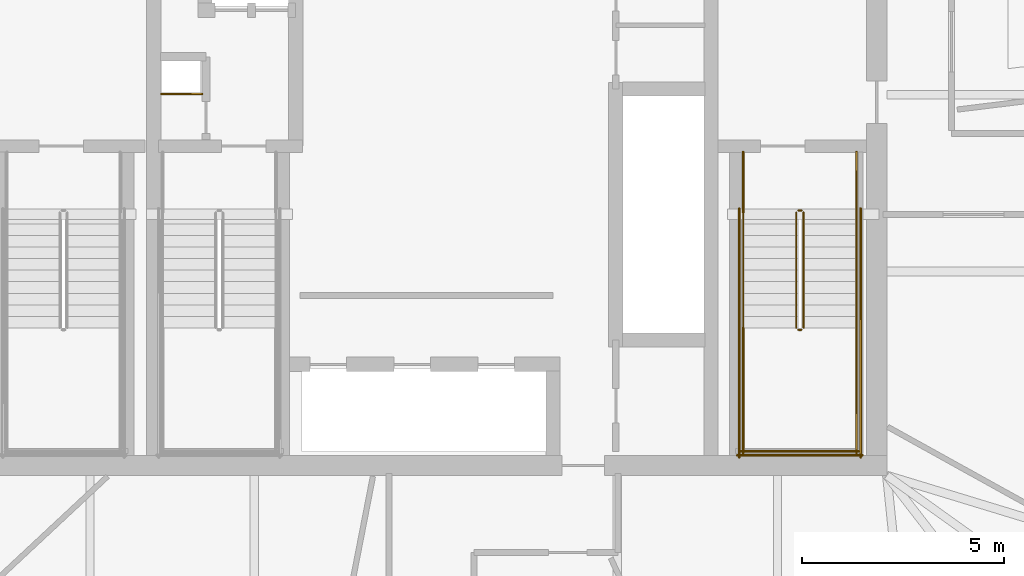
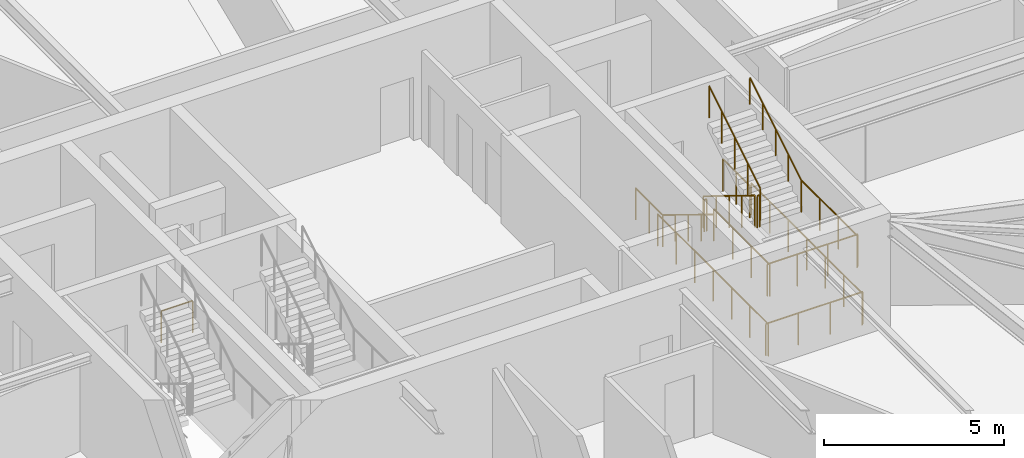
# One storey, part 15 of 16: 15 railings.
"""IFC4 building model written with IfcOpenShell, lengths in metres."""

from ifc_helpers import new_model, si_unit, direction, frame, origin, origin_2d, place, context, subcontext, project, spatial, circle, extrude, material, type_object, element, save


model = new_model("IFC4")

# Units and contexts
model_context = context("Model", 3, precision=1e-05, world=origin(), true_north=direction((0.0, 1.0)))
body_context = subcontext(model_context, "Body", "Model", "MODEL_VIEW")
ifc_project = project(units=[si_unit("LENGTHUNIT", "METRE"), si_unit("AREAUNIT", "SQUARE_METRE"), si_unit("VOLUMEUNIT", "CUBIC_METRE"), si_unit("PLANEANGLEUNIT", "RADIAN"), si_unit("MASSUNIT", "GRAM", prefix="KILO")], contexts=[model_context])

# Site, building, storey
site_placement = place(None, origin())
site = spatial("IfcSite", under=ifc_project, at=site_placement, CompositionType="ELEMENT")
building_placement = place(site_placement, origin())
building = spatial("IfcBuilding", under=site, at=building_placement, Name="Bramvorn Convention Spire", CompositionType="ELEMENT")
storey_placement = place(building_placement, frame((0.0, 0.0, 209.699951171875)))
storey = spatial("IfcBuildingStorey", under=building, at=storey_placement, Name="L53", CompositionType="ELEMENT", Elevation=209.699951171875)

# Railings
ifc_material_1 = material(Name="Painted Steel Balustrade & Guardrail", Category="steel")
railing_type_1 = type_object("IfcRailingType", Name="RL-STAIR-GUARD-1100", PredefinedType="GUARDRAIL", material=ifc_material_1)
railing_1_placement = place(storey_placement, frame((47.010009765625, 25.050048828125, 0.175048828125)))
element("IfcRailing", 1, at=railing_1_placement, inside=storey, type_object=railing_type_1, Name="L53 ST2 stair guard 1", PredefinedType="GUARDRAIL", context=body_context, shape_type="SweptSolid", body=[
    extrude(circle(Radius=0.02392578125, at=origin_2d()), frame((0.0, 0.0, 1.076171875), z_axis=(0.0, -0.852179220489, 0.52325001306), x_axis=(1.0, 0.0, 0.0)), (0.0, 0.0, 1.0), 3.344482421875),
    extrude(circle(Radius=0.02099609375, at=origin_2d()), origin(), (0.0, 0.0, 1.0), 1.052001953125),
    extrude(circle(Radius=0.02099609375, at=origin_2d()), frame((0.0, -0.71240234375, 0.4375)), (0.0, 0.0, 1.0), 1.052001953125),
    extrude(circle(Radius=0.02099609375, at=origin_2d()), frame((0.0, -1.425048828125, 0.875)), (0.0, 0.0, 1.0), 1.052001953125),
    extrude(circle(Radius=0.02099609375, at=origin_2d()), frame((0.0, -2.1376953125, 1.3125)), (0.0, 0.0, 1.0), 1.052001953125),
    extrude(circle(Radius=0.02099609375, at=origin_2d()), frame((0.0, -2.85009765625, 1.75)), (0.0, 0.0, 1.0), 1.052001953125),
])
railing_2_placement = place(storey_placement, frame((47.06005859375, 22.14990234375, 1.925048828125)))
element("IfcRailing", 2, at=railing_2_placement, inside=storey, type_object=railing_type_1, Name="L53 ST2 stair guard 2", PredefinedType="GUARDRAIL", context=body_context, shape_type="SweptSolid", body=[
    extrude(circle(Radius=0.02392578125, at=origin_2d()), frame((0.0, 0.0, 1.076171875), z_axis=(1.0, 0.0, 0.0), x_axis=(0.0, 1.0, 0.0)), (0.0, 0.0, 1.0), 0.079833984375),
    extrude(circle(Radius=0.02099609375, at=origin_2d()), origin(), (0.0, 0.0, 1.0), 1.052001953125),
    extrude(circle(Radius=0.02099609375, at=origin_2d()), frame((0.079833984375, 0.0, 0.0)), (0.0, 0.0, 1.0), 1.052001953125),
])
for number, where, name in (
    (3, (45.699951171875, 22.199951171875, 1.925048828125), "L53 ST2 stair guard 3"),
    (4, (48.5, 22.199951171875, 1.925048828125), "L53 ST2 stair guard 4"),
):
    element("IfcRailing", number, at=place(storey_placement, frame(where)), inside=storey, type_object=railing_type_1, Name=name, PredefinedType="GUARDRAIL", context=body_context, shape_type="SweptSolid", body=[
        extrude(circle(Radius=0.02392578125, at=origin_2d()), frame((0.0, 0.0, 1.076171875), z_axis=(0.0, -1.0, 0.0), x_axis=(1.0, 0.0, 0.0)), (0.0, 0.0, 1.0), 3.099853515625),
        extrude(circle(Radius=0.02099609375, at=origin_2d()), origin(), (0.0, 0.0, 1.0), 1.052001953125),
        extrude(circle(Radius=0.02099609375, at=origin_2d()), frame((0.0, -1.033203125, 0.0)), (0.0, 0.0, 1.0), 1.052001953125),
        extrude(circle(Radius=0.02099609375, at=origin_2d()), frame((0.0, -2.066650390625, 0.0)), (0.0, 0.0, 1.0), 1.052001953125),
        extrude(circle(Radius=0.02099609375, at=origin_2d()), frame((0.0, -3.099853515625, 0.0)), (0.0, 0.0, 1.0), 1.052001953125),
    ])
railing_3_placement = place(storey_placement, frame((45.64990234375, 19.14990234375, 1.925048828125)))
element("IfcRailing", 5, at=railing_3_placement, inside=storey, type_object=railing_type_1, Name="L53 ST2 stair guard 5", PredefinedType="GUARDRAIL", context=body_context, shape_type="SweptSolid", body=[
    extrude(circle(Radius=0.02392578125, at=origin_2d()), frame((0.0, 0.0, 1.076171875), z_axis=(1.0, 0.0, 0.0), x_axis=(0.0, 1.0, 0.0)), (0.0, 0.0, 1.0), 2.900146484375),
    extrude(circle(Radius=0.02099609375, at=origin_2d()), origin(), (0.0, 0.0, 1.0), 1.052001953125),
    extrude(circle(Radius=0.02099609375, at=origin_2d()), frame((0.966796875, 0.0, 0.0)), (0.0, 0.0, 1.0), 1.052001953125),
    extrude(circle(Radius=0.02099609375, at=origin_2d()), frame((1.933349609375, 0.0, 0.0)), (0.0, 0.0, 1.0), 1.052001953125),
    extrude(circle(Radius=0.02099609375, at=origin_2d()), frame((2.900146484375, 0.0, 0.0)), (0.0, 0.0, 1.0), 1.052001953125),
])
railing_4_placement = place(storey_placement, frame((47.18994140625, 22.199951171875, 2.10009765625)))
element("IfcRailing", 6, at=railing_4_placement, inside=storey, type_object=railing_type_1, Name="L53 ST2 stair guard 6", PredefinedType="GUARDRAIL", context=body_context, shape_type="SweptSolid", body=[
    extrude(circle(Radius=0.02392578125, at=origin_2d()), frame((0.0, 0.0, 1.076171875), z_axis=(0.0, 0.852179220489, 0.52325001306), x_axis=(-1.0, 0.0, 0.0)), (0.0, 0.0, 1.0), 3.344482421875),
    extrude(circle(Radius=0.02099609375, at=origin_2d()), origin(), (0.0, 0.0, 1.0), 1.052001953125),
    extrude(circle(Radius=0.02099609375, at=origin_2d()), frame((0.0, 0.71240234375, 0.4375)), (0.0, 0.0, 1.0), 1.052001953125),
    extrude(circle(Radius=0.02099609375, at=origin_2d()), frame((0.0, 1.425048828125, 0.875)), (0.0, 0.0, 1.0), 1.052001953125),
    extrude(circle(Radius=0.02099609375, at=origin_2d()), frame((0.0, 2.1376953125, 1.3125)), (0.0, 0.0, 1.0), 1.052001953125),
    extrude(circle(Radius=0.02099609375, at=origin_2d()), frame((0.0, 2.85009765625, 1.75)), (0.0, 0.0, 1.0), 1.052001953125),
])
railing_5_placement = place(storey_placement, frame((47.06005859375, 25.10009765625, 0.0)))
element("IfcRailing", 7, at=railing_5_placement, inside=storey, type_object=railing_type_1, Name="L53 ST2 stair guard 7", PredefinedType="GUARDRAIL", context=body_context, shape_type="SweptSolid", body=[
    extrude(circle(Radius=0.02392578125, at=origin_2d()), frame((0.0, 0.0, 1.076171875), z_axis=(1.0, 0.0, 0.0), x_axis=(0.0, 1.0, 0.0)), (0.0, 0.0, 1.0), 0.079833984375),
    extrude(circle(Radius=0.02099609375, at=origin_2d()), origin(), (0.0, 0.0, 1.0), 1.052001953125),
    extrude(circle(Radius=0.02099609375, at=origin_2d()), frame((0.079833984375, 0.0, 0.0)), (0.0, 0.0, 1.0), 1.052001953125),
])
for number, where, name in (
    (8, (45.699951171875, 26.550048828125, 0.0), "L53 ST2 stair guard 8"),
    (9, (48.5, 26.550048828125, 0.0), "L53 ST2 stair guard 9"),
):
    element("IfcRailing", number, at=place(storey_placement, frame(where)), inside=storey, type_object=railing_type_1, Name=name, PredefinedType="GUARDRAIL", context=body_context, shape_type="SweptSolid", body=[
        extrude(circle(Radius=0.02392578125, at=origin_2d()), frame((0.0, 0.0, 1.076171875), z_axis=(0.0, -1.0, 0.0), x_axis=(1.0, 0.0, 0.0)), (0.0, 0.0, 1.0), 1.5),
        extrude(circle(Radius=0.02099609375, at=origin_2d()), origin(), (0.0, 0.0, 1.0), 1.052001953125),
        extrude(circle(Radius=0.02099609375, at=origin_2d()), frame((0.0, -0.75, 0.0)), (0.0, 0.0, 1.0), 1.052001953125),
        extrude(circle(Radius=0.02099609375, at=origin_2d()), frame((0.0, -1.5, 0.0)), (0.0, 0.0, 1.0), 1.052001953125),
    ])
for number, where, name in (
    (10, (45.60009765625, 25.14990234375, 0.0), "L53 ST2 stair guard 10"),
    (11, (48.60009765625, 25.14990234375, 0.0), "L53 ST2 stair guard 11"),
):
    element("IfcRailing", number, at=place(storey_placement, frame(where)), inside=storey, type_object=railing_type_1, Name=name, PredefinedType="GUARDRAIL", context=body_context, shape_type="SweptSolid", body=[
        extrude(circle(Radius=0.02392578125, at=origin_2d()), frame((0.0, 0.0, 1.076171875), z_axis=(0.0, -1.0, 0.0), x_axis=(1.0, 0.0, 0.0)), (0.0, 0.0, 1.0), 6.14990234375),
        extrude(circle(Radius=0.02099609375, at=origin_2d()), origin(), (0.0, 0.0, 1.0), 1.052001953125),
        extrude(circle(Radius=0.02099609375, at=origin_2d()), frame((0.0, -1.02490234375, 0.0)), (0.0, 0.0, 1.0), 1.052001953125),
        extrude(circle(Radius=0.02099609375, at=origin_2d()), frame((0.0, -2.050048828125, 0.0)), (0.0, 0.0, 1.0), 1.052001953125),
        extrude(circle(Radius=0.02099609375, at=origin_2d()), frame((0.0, -3.074951171875, 0.0)), (0.0, 0.0, 1.0), 1.052001953125),
        extrude(circle(Radius=0.02099609375, at=origin_2d()), frame((0.0, -4.099853515625, 0.0)), (0.0, 0.0, 1.0), 1.052001953125),
        extrude(circle(Radius=0.02099609375, at=origin_2d()), frame((0.0, -5.125, 0.0)), (0.0, 0.0, 1.0), 1.052001953125),
        extrude(circle(Radius=0.02099609375, at=origin_2d()), frame((0.0, -6.14990234375, 0.0)), (0.0, 0.0, 1.0), 1.052001953125),
    ])
railing_6_placement = place(storey_placement, frame((45.550048828125, 19.050048828125, 0.0)))
element("IfcRailing", 12, at=railing_6_placement, inside=storey, type_object=railing_type_1, Name="L53 ST2 stair guard 12", PredefinedType="GUARDRAIL", context=body_context, shape_type="SweptSolid", body=[
    extrude(circle(Radius=0.02392578125, at=origin_2d()), frame((0.0, 0.0, 1.076171875), z_axis=(1.0, 0.0, 0.0), x_axis=(0.0, 1.0, 0.0)), (0.0, 0.0, 1.0), 3.099853515625),
    extrude(circle(Radius=0.02099609375, at=origin_2d()), origin(), (0.0, 0.0, 1.0), 1.052001953125),
    extrude(circle(Radius=0.02099609375, at=origin_2d()), frame((1.033203125, 0.0, 0.0)), (0.0, 0.0, 1.0), 1.052001953125),
    extrude(circle(Radius=0.02099609375, at=origin_2d()), frame((2.066650390625, 0.0, 0.0)), (0.0, 0.0, 1.0), 1.052001953125),
    extrude(circle(Radius=0.02099609375, at=origin_2d()), frame((3.099853515625, 0.0, 0.0)), (0.0, 0.0, 1.0), 1.052001953125),
])
railing_7_placement = place(storey_placement, frame((31.320068359375, 27.97998046875, 0.0)))
element("IfcRailing", 13, at=railing_7_placement, inside=storey, type_object=railing_type_1, Name="L53 Telecom riser shaft opening safety guardrail", PredefinedType="GUARDRAIL", context=body_context, shape_type="SweptSolid", body=[
    extrude(circle(Radius=0.02392578125, at=origin_2d()), frame((0.0, 0.0, 1.076171875), z_axis=(1.0, 0.0, 0.0), x_axis=(0.0, 1.0, 0.0)), (0.0, 0.0, 1.0), 1.0),
    extrude(circle(Radius=0.02099609375, at=origin_2d()), origin(), (0.0, 0.0, 1.0), 1.052001953125),
    extrude(circle(Radius=0.02099609375, at=origin_2d()), frame((1.0, 0.0, 0.0)), (0.0, 0.0, 1.0), 1.052001953125),
])
ifc_material_2 = material(Name="Brushed Bronze Tubular Handrail", Category="aluminium")
railing_type_2 = type_object("IfcRailingType", Name="RL-STAIR-HR-920", PredefinedType="HANDRAIL", material=ifc_material_2)
railing_8_placement = place(storey_placement, frame((45.699951171875, 25.050048828125, 0.175048828125)))
element("IfcRailing", 14, at=railing_8_placement, inside=storey, type_object=railing_type_2, Name="L53 ST2 stair handrail 1", PredefinedType="HANDRAIL", context=body_context, shape_type="SweptSolid", body=[
    extrude(circle(Radius=0.02392578125, at=origin_2d()), frame((0.0, 0.0, 0.89599609375), z_axis=(0.0, -0.852179220489, 0.52325001306), x_axis=(1.0, 0.0, 0.0)), (0.0, 0.0, 1.0), 3.344482421875),
    extrude(circle(Radius=0.02099609375, at=origin_2d()), origin(), (0.0, 0.0, 1.0), 0.871826171875),
    extrude(circle(Radius=0.02099609375, at=origin_2d()), frame((0.0, -0.71240234375, 0.4375)), (0.0, 0.0, 1.0), 0.871826171875),
    extrude(circle(Radius=0.02099609375, at=origin_2d()), frame((0.0, -1.425048828125, 0.875)), (0.0, 0.0, 1.0), 0.871826171875),
    extrude(circle(Radius=0.02099609375, at=origin_2d()), frame((0.0, -2.1376953125, 1.3125)), (0.0, 0.0, 1.0), 0.871826171875),
    extrude(circle(Radius=0.02099609375, at=origin_2d()), frame((0.0, -2.85009765625, 1.75)), (0.0, 0.0, 1.0), 0.871826171875),
])
railing_9_placement = place(storey_placement, frame((48.5, 22.199951171875, 2.10009765625)))
element("IfcRailing", 15, at=railing_9_placement, inside=storey, type_object=railing_type_2, Name="L53 ST2 stair handrail 2", PredefinedType="HANDRAIL", context=body_context, shape_type="SweptSolid", body=[
    extrude(circle(Radius=0.02392578125, at=origin_2d()), frame((0.0, 0.0, 0.89599609375), z_axis=(0.0, 0.852179220489, 0.52325001306), x_axis=(-1.0, 0.0, 0.0)), (0.0, 0.0, 1.0), 3.344482421875),
    extrude(circle(Radius=0.02099609375, at=origin_2d()), origin(), (0.0, 0.0, 1.0), 0.871826171875),
    extrude(circle(Radius=0.02099609375, at=origin_2d()), frame((0.0, 0.71240234375, 0.4375)), (0.0, 0.0, 1.0), 0.871826171875),
    extrude(circle(Radius=0.02099609375, at=origin_2d()), frame((0.0, 1.425048828125, 0.875)), (0.0, 0.0, 1.0), 0.871826171875),
    extrude(circle(Radius=0.02099609375, at=origin_2d()), frame((0.0, 2.1376953125, 1.3125)), (0.0, 0.0, 1.0), 0.871826171875),
    extrude(circle(Radius=0.02099609375, at=origin_2d()), frame((0.0, 2.85009765625, 1.75)), (0.0, 0.0, 1.0), 0.871826171875),
])

save(model, "model.ifc")
